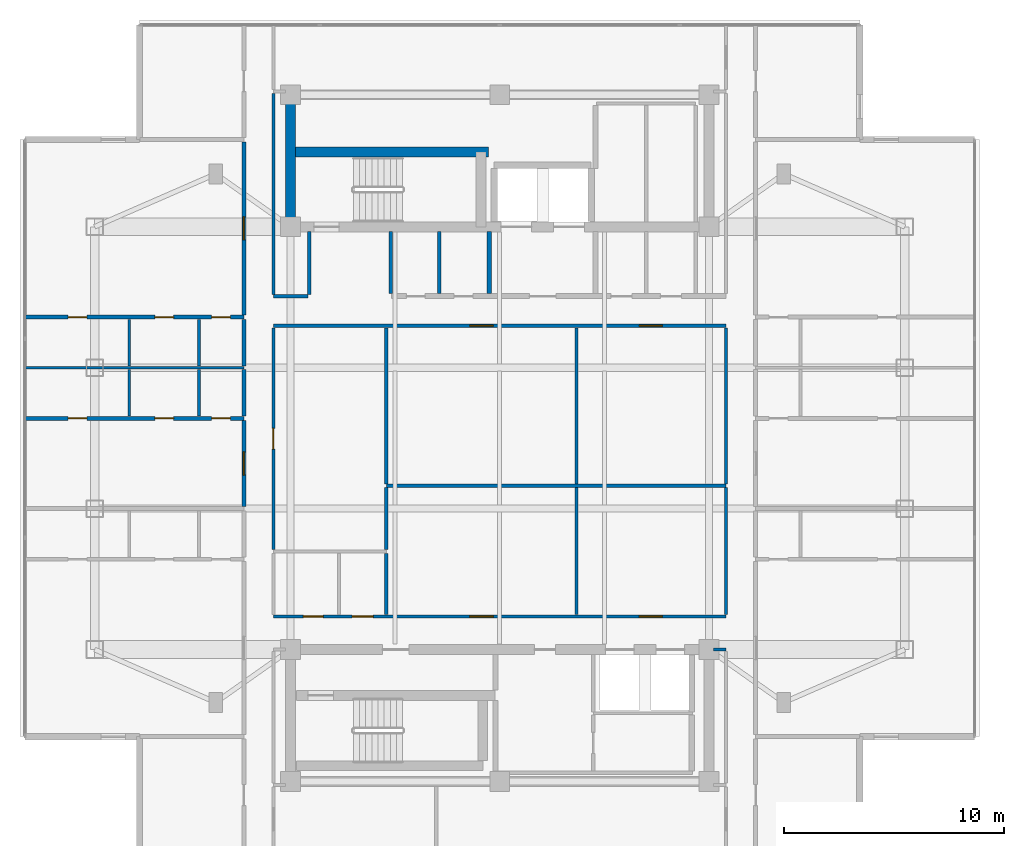
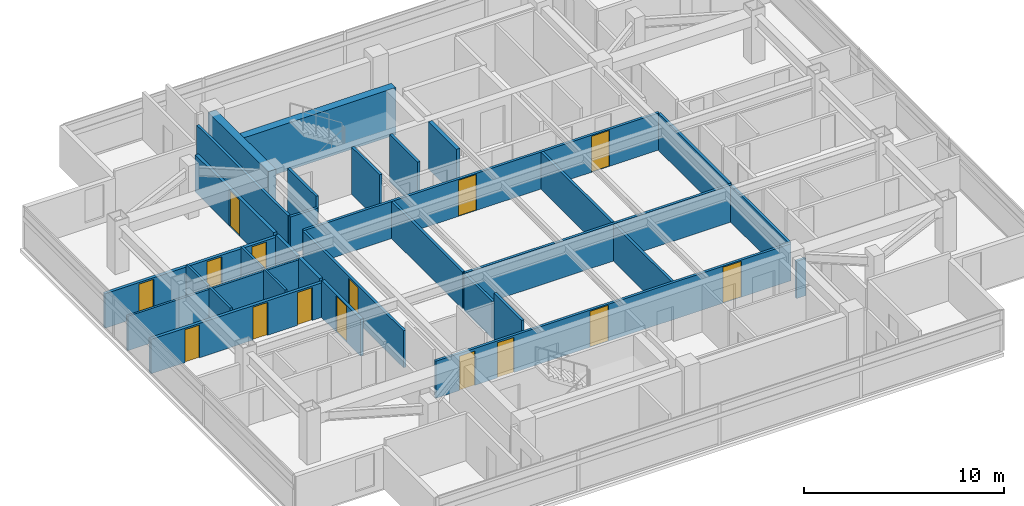
# One storey, part 11 of 17: 31 walls, 15 doors, 15 openings.
"""IFC4 building model written with IfcOpenShell, lengths in metres."""

from ifc_helpers import new_model, si_unit, direction, frame, frame_2d, origin, place, context, subcontext, project, spatial, rectangle, extrude, material, layer, layer_set, type_object, element, fill, save


model = new_model("IFC4")

# Units and contexts
model_context = context("Model", 3, precision=1e-05, world=origin(), true_north=direction((0.0, 1.0)))
body_context = subcontext(model_context, "Body", "Model", "MODEL_VIEW")
ifc_project = project(units=[si_unit("LENGTHUNIT", "METRE"), si_unit("AREAUNIT", "SQUARE_METRE"), si_unit("VOLUMEUNIT", "CUBIC_METRE"), si_unit("PLANEANGLEUNIT", "RADIAN"), si_unit("MASSUNIT", "GRAM", prefix="KILO")], contexts=[model_context])

# Site, building, storey
site_placement = place(None, origin())
site = spatial("IfcSite", under=ifc_project, at=site_placement, CompositionType="ELEMENT")
building_placement = place(site_placement, origin())
building = spatial("IfcBuilding", under=site, at=building_placement, Name="Mirazonda Arch Towers", CompositionType="ELEMENT")
storey_placement = place(building_placement, frame((0.0, 0.0, 209.64990234375)))
storey = spatial("IfcBuildingStorey", under=building, at=storey_placement, Name="L60", CompositionType="ELEMENT", Elevation=209.64990234375)

# Walls
ifc_material_1 = material(Name="Concrete C50/60", Category="concrete")
ifc_layer_1 = layer(ifc_material_1, 0.449951171875, Name="WALL-CORE-450")
ifc_layer_set_1 = layer_set([ifc_layer_1], Name="Concrete C50/60")
wall_type_1 = type_object("IfcWallType", Name="WALL-CORE-450", PredefinedType="SHEAR", material=ifc_layer_set_1)
wall_1_placement = place(storey_placement, frame((11.0, 37.60009765625, 0.0), z_axis=(0.0, 0.0, 1.0), x_axis=(0.0, 1.0, 0.0)))
element("IfcWall", 1, at=wall_1_placement, inside=storey, type_object=wall_type_1, Name="L60 T1N-W Core Shear Wall", PredefinedType="SHEAR", context=body_context, shape_type="SweptSolid", body=[
    extrude(rectangle(XDim=6.0, YDim=0.449951171875, at=frame_2d((3.0, 0.0))), origin(), (0.0, 0.0, 1.0), 2.89013671875),
])
wall_2_placement = place(storey_placement, frame((11.0, 40.992919921875, 0.0), z_axis=(0.0, 0.0, 1.0), x_axis=(1.0, 0.0, 0.0)))
element("IfcWall", 2, at=wall_2_placement, inside=storey, type_object=wall_type_1, Name="L60 T1N-STN Core Shear Wall", PredefinedType="SHEAR", context=body_context, shape_type="SweptSolid", body=[
    extrude(rectangle(XDim=9.0, YDim=0.449951171875, at=frame_2d((4.5, 0.0))), origin(), (0.0, 0.0, 1.0), 2.89013671875),
])
ifc_material_2 = material(Name="Concrete C40/50", Category="concrete")
ifc_layer_2 = layer(ifc_material_2, 0.219970703125, Name="WALL-FFL-220")
ifc_layer_set_2 = layer_set([ifc_layer_2], Name="Concrete C40/50")
wall_type_2 = type_object("IfcWallType", Name="WALL-FFL-220", PredefinedType="SOLIDWALL", material=ifc_layer_set_2)
wall_3_placement = place(storey_placement, frame((20.02490234375, 34.570068359375, 0.0), z_axis=(0.0, 0.0, 1.0), x_axis=(0.0, 1.0, 0.0)))
element("IfcWall", 3, at=wall_3_placement, inside=storey, type_object=wall_type_2, Name="L60 Interior Partition 068", PredefinedType="SOLIDWALL", context=body_context, shape_type="SweptSolid", body=[
    extrude(rectangle(XDim=2.809814453125, YDim=0.219970703125, at=frame_2d((1.40478515625, 0.0))), origin(), (0.0, 0.0, 1.0), 2.89013671875),
])
ifc_material_3 = material(Name="Fire-Rated Gypsum Stud Partition")
ifc_layer_3 = layer(ifc_material_3, 0.14990234375, Name="WALL-PART-CORR-150")
ifc_layer_set_3 = layer_set([ifc_layer_3], Name="Fire-Rated Gypsum Stud Partition")
wall_type_3 = type_object("IfcWallType", Name="WALL-PART-CORR-150", PredefinedType="PARTITIONING", material=ifc_layer_set_3)
wall_4_placement = place(storey_placement, frame((30.219970703125, 18.39990234375, 0.0), z_axis=(0.0, 0.0, 1.0), x_axis=(1.0, 0.0, 0.0)))
element("IfcWall", 4, at=wall_4_placement, inside=storey, type_object=wall_type_3, Name="L60 Interior Partition 011", PredefinedType="PARTITIONING", context=body_context, shape_type="SweptSolid", body=[
    extrude(rectangle(XDim=0.56005859375, YDim=0.14990234375, at=frame_2d((0.280029296875, 0.0))), origin(), (0.0, 0.0, 1.0), 2.281982421875),
])

# Wall, openings, doors
wall_5_placement = place(storey_placement, frame((10.219970703125, 19.89990234375, 0.0), z_axis=(0.0, 0.0, 1.0), x_axis=(1.0, 0.0, 0.0)))
wall_5 = element("IfcWall", 5, at=wall_5_placement, inside=storey, type_object=wall_type_3, Name="L60 Interior Partition 013", PredefinedType="PARTITIONING", context=body_context, shape_type="SweptSolid", body=[
    extrude(rectangle(XDim=20.56005859375, YDim=0.14990234375, at=frame_2d((10.280029296875, 0.0))), origin(), (0.0, 0.0, 1.0), 2.26611328125),
])
opening_1_placement = place(wall_5_placement, frame((1.360107421875, 0.0, 0.0)))
opening_1 = element("IfcOpeningElement", 6, at=opening_1_placement, cuts=wall_5, Name="Opening DR-120", PredefinedType="OPENING", context=body_context, shape_type="SweptSolid", body=[
    extrude(rectangle(XDim=0.89990234375, YDim=2.10009765625, at=frame_2d((0.449951171875, 1.050048828125))), frame((0.0, 0.0849609375, 0.0), z_axis=(0.0, -1.0, 0.0), x_axis=(1.0, 0.0, 0.0)), (0.0, 0.0, 1.0), 0.169921875),
])
opening_2_placement = place(wall_5_placement, frame((3.580078125, 0.0, 0.0)))
opening_2 = element("IfcOpeningElement", 7, at=opening_2_placement, cuts=wall_5, Name="Opening DR-104", PredefinedType="OPENING", context=body_context, shape_type="SweptSolid", body=[
    extrude(rectangle(XDim=0.949951171875, YDim=2.14990234375, at=frame_2d((0.47509765625, 1.074951171875))), frame((0.0, 0.0849609375, 0.0), z_axis=(0.0, -1.0, 0.0), x_axis=(1.0, 0.0, 0.0)), (0.0, 0.0, 1.0), 0.169921875),
])
opening_3_placement = place(wall_5_placement, frame((8.925537109375, 0.0, 0.0)))
opening_3 = element("IfcOpeningElement", 8, at=opening_3_placement, cuts=wall_5, Name="Opening DR-121", PredefinedType="OPENING", context=body_context, shape_type="SweptSolid", body=[
    extrude(rectangle(XDim=1.050048828125, YDim=2.199951171875, at=frame_2d((0.52490234375, 1.10009765625))), frame((0.0, 0.0849609375, 0.0), z_axis=(0.0, -1.0, 0.0), x_axis=(1.0, 0.0, 0.0)), (0.0, 0.0, 1.0), 0.169921875),
])
opening_4_placement = place(wall_5_placement, frame((16.62060546875, 0.0, 0.0)))
opening_4 = element("IfcOpeningElement", 9, at=opening_4_placement, cuts=wall_5, Name="Opening DR-121", PredefinedType="OPENING", context=body_context, shape_type="SweptSolid", body=[
    extrude(rectangle(XDim=1.050048828125, YDim=2.199951171875, at=frame_2d((0.52490234375, 1.10009765625))), frame((0.0, 0.0849609375, 0.0), z_axis=(0.0, -1.0, 0.0), x_axis=(1.0, 0.0, 0.0)), (0.0, 0.0, 1.0), 0.169921875),
])
ifc_material_4 = material(Name="Architectural Brushed Steel S355", Category="steel")
door_type_1 = type_object("IfcDoorType", Name="DOOR-ROOM-950", OperationType="NOTDEFINED", PredefinedType="DOOR", material=ifc_material_4)
door_1_placement = place(opening_2_placement, origin())
door_1 = element("IfcDoor", 10, at=door_1_placement, inside=storey, type_object=door_type_1, Name="L60 L60 West Courtyard Study Door", OperationType="SINGLE_SWING_RIGHT", OverallHeight=2.14990234375, OverallWidth=0.949951171875, PredefinedType="DOOR", context=body_context, shape_type="SweptSolid", body=[
    extrude(rectangle(XDim=0.949951171875, YDim=2.14990234375, at=frame_2d((0.47509765625, 1.074951171875))), frame((0.0, 0.02490234375, 0.0), z_axis=(0.0, -1.0, 0.0), x_axis=(1.0, 0.0, 0.0)), (0.0, 0.0, 1.0), 0.050048828125),
])
fill(opening_2, door_1)
door_type_2 = type_object("IfcDoorType", Name="DOOR-SUITE-FD60-1050", OperationType="NOTDEFINED", PredefinedType="DOOR", material=ifc_material_4)
door_2_placement = place(opening_3_placement, origin())
door_2 = element("IfcDoor", 11, at=door_2_placement, inside=storey, type_object=door_type_2, Name="L60 Residents Private Library Door", OperationType="SINGLE_SWING_RIGHT", OverallHeight=2.199951171875, OverallWidth=1.050048828125, PredefinedType="DOOR", context=body_context, shape_type="SweptSolid", body=[
    extrude(rectangle(XDim=1.050048828125, YDim=2.199951171875, at=frame_2d((0.52490234375, 1.10009765625))), frame((0.0, 0.02490234375, 0.0), z_axis=(0.0, -1.0, 0.0), x_axis=(1.0, 0.0, 0.0)), (0.0, 0.0, 1.0), 0.050048828125),
])
fill(opening_3, door_2)
door_3_placement = place(opening_4_placement, origin())
door_3 = element("IfcDoor", 12, at=door_3_placement, inside=storey, type_object=door_type_2, Name="L60 Chamber Music & Screening Salon Door", OperationType="SINGLE_SWING_LEFT", OverallHeight=2.199951171875, OverallWidth=1.050048828125, PredefinedType="DOOR", context=body_context, shape_type="SweptSolid", body=[
    extrude(rectangle(XDim=1.050048828125, YDim=2.199951171875, at=frame_2d((0.52490234375, 1.10009765625))), frame((0.0, 0.02490234375, 0.0), z_axis=(0.0, -1.0, 0.0), x_axis=(1.0, 0.0, 0.0)), (0.0, 0.0, 1.0), 0.050048828125),
])
fill(opening_4, door_3)
door_type_3 = type_object("IfcDoorType", Name="DOOR-WC-900", OperationType="NOTDEFINED", PredefinedType="DOOR", material=ifc_material_4)
door_4_placement = place(opening_1_placement, origin())
door_4 = element("IfcDoor", 13, at=door_4_placement, inside=storey, type_object=door_type_3, Name="L60 Common Accessible WC Door", OperationType="SINGLE_SWING_RIGHT", OverallHeight=2.10009765625, OverallWidth=0.89990234375, PredefinedType="DOOR", context=body_context, shape_type="SweptSolid", body=[
    extrude(rectangle(XDim=0.89990234375, YDim=2.10009765625, at=frame_2d((0.449951171875, 1.050048828125))), frame((0.0, 0.02490234375, 0.0), z_axis=(0.0, -1.0, 0.0), x_axis=(1.0, 0.0, 0.0)), (0.0, 0.0, 1.0), 0.050048828125),
])
fill(opening_1, door_4)

# Wall
wall_6_placement = place(storey_placement, frame((15.35009765625, 25.840087890625, 0.0), z_axis=(0.0, 0.0, 1.0), x_axis=(1.0, 0.0, 0.0)))
element("IfcWall", 14, at=wall_6_placement, inside=storey, type_object=wall_type_3, Name="L60 Interior Partition 020", PredefinedType="PARTITIONING", context=body_context, shape_type="SweptSolid", body=[
    extrude(rectangle(XDim=15.429931640625, YDim=0.14990234375, at=frame_2d((7.71484375, 0.0))), origin(), (0.0, 0.0, 1.0), 2.26611328125),
])

# Wall, openings, doors
wall_7_placement = place(storey_placement, frame((10.219970703125, 33.10009765625, 0.0), z_axis=(0.0, 0.0, 1.0), x_axis=(1.0, 0.0, 0.0)))
wall_7 = element("IfcWall", 15, at=wall_7_placement, inside=storey, type_object=wall_type_3, Name="L60 Interior Partition 026", PredefinedType="PARTITIONING", context=body_context, shape_type="SweptSolid", body=[
    extrude(rectangle(XDim=20.56005859375, YDim=0.14990234375, at=frame_2d((10.280029296875, 0.0))), origin(), (0.0, 0.0, 1.0), 2.26611328125),
])
opening_5_placement = place(wall_7_placement, frame((8.925537109375, 0.0, 0.0)))
opening_5 = element("IfcOpeningElement", 16, at=opening_5_placement, cuts=wall_7, Name="Opening DR-121", PredefinedType="OPENING", context=body_context, shape_type="SweptSolid", body=[
    extrude(rectangle(XDim=1.050048828125, YDim=2.199951171875, at=frame_2d((0.52490234375, 1.10009765625))), frame((0.0, 0.0849609375, 0.0), z_axis=(0.0, -1.0, 0.0), x_axis=(1.0, 0.0, 0.0)), (0.0, 0.0, 1.0), 0.169921875),
])
opening_6_placement = place(wall_7_placement, frame((16.62060546875, 0.0, 0.0)))
opening_6 = element("IfcOpeningElement", 17, at=opening_6_placement, cuts=wall_7, Name="Opening DR-121", PredefinedType="OPENING", context=body_context, shape_type="SweptSolid", body=[
    extrude(rectangle(XDim=1.050048828125, YDim=2.199951171875, at=frame_2d((0.52490234375, 1.10009765625))), frame((0.0, 0.0849609375, 0.0), z_axis=(0.0, -1.0, 0.0), x_axis=(1.0, 0.0, 0.0)), (0.0, 0.0, 1.0), 0.169921875),
])
door_5_placement = place(opening_5_placement, origin())
door_5 = element("IfcDoor", 18, at=door_5_placement, inside=storey, type_object=door_type_2, Name="L60 Private Dining Room Door", OperationType="SINGLE_SWING_RIGHT", OverallHeight=2.199951171875, OverallWidth=1.050048828125, PredefinedType="DOOR", context=body_context, shape_type="SweptSolid", body=[
    extrude(rectangle(XDim=1.050048828125, YDim=2.199951171875, at=frame_2d((0.52490234375, 1.10009765625))), frame((0.0, 0.02490234375, 0.0), z_axis=(0.0, -1.0, 0.0), x_axis=(1.0, 0.0, 0.0)), (0.0, 0.0, 1.0), 0.050048828125),
])
fill(opening_5, door_5)
door_6_placement = place(opening_6_placement, origin())
door_6 = element("IfcDoor", 19, at=door_6_placement, inside=storey, type_object=door_type_2, Name="L60 Collectors Gallery Study Door", OperationType="SINGLE_SWING_LEFT", OverallHeight=2.199951171875, OverallWidth=1.050048828125, PredefinedType="DOOR", context=body_context, shape_type="SweptSolid", body=[
    extrude(rectangle(XDim=1.050048828125, YDim=2.199951171875, at=frame_2d((0.52490234375, 1.10009765625))), frame((0.0, 0.02490234375, 0.0), z_axis=(0.0, -1.0, 0.0), x_axis=(1.0, 0.0, 0.0)), (0.0, 0.0, 1.0), 0.050048828125),
])
fill(opening_6, door_6)

# Wall
wall_8_placement = place(storey_placement, frame((10.219970703125, 34.449951171875, 0.0), z_axis=(0.0, 0.0, 1.0), x_axis=(1.0, 0.0, 0.0)))
element("IfcWall", 20, at=wall_8_placement, inside=storey, type_object=wall_type_3, Name="L60 Interior Partition 029", PredefinedType="PARTITIONING", context=body_context, shape_type="SweptSolid", body=[
    extrude(rectangle(XDim=1.580078125, YDim=0.14990234375, at=frame_2d((0.7900390625, 0.0))), origin(), (0.0, 0.0, 1.0), 2.26611328125),
])

# Wall, opening, door
wall_9_placement = place(storey_placement, frame((10.219970703125, 22.93505859375, 0.0), z_axis=(0.0, 0.0, 1.0), x_axis=(0.0, 1.0, 0.0)))
wall_9 = element("IfcWall", 21, at=wall_9_placement, inside=storey, type_object=wall_type_3, Name="L60 Interior Partition 056", PredefinedType="PARTITIONING", context=body_context, shape_type="SweptSolid", body=[
    extrude(rectangle(XDim=10.079833984375, YDim=0.14990234375, at=frame_2d((5.0400390625, 0.0))), origin(), (0.0, 0.0, 1.0), 2.26611328125),
])
opening_7_placement = place(wall_9_placement, frame((4.56494140625, 0.0, 0.0)))
opening_7 = element("IfcOpeningElement", 22, at=opening_7_placement, cuts=wall_9, Name="Opening DR-104", PredefinedType="OPENING", context=body_context, shape_type="SweptSolid", body=[
    extrude(rectangle(XDim=0.949951171875, YDim=2.14990234375, at=frame_2d((0.47509765625, 1.074951171875))), frame((0.0, 0.0849609375, 0.0), z_axis=(0.0, -1.0, 0.0), x_axis=(1.0, 0.0, 0.0)), (0.0, 0.0, 1.0), 0.169921875),
])
door_7_placement = place(opening_7_placement, origin())
door_7 = element("IfcDoor", 23, at=door_7_placement, inside=storey, type_object=door_type_1, Name="L60 L60 West Courtyard Salon Door", OperationType="SINGLE_SWING_LEFT", OverallHeight=2.14990234375, OverallWidth=0.949951171875, PredefinedType="DOOR", context=body_context, shape_type="SweptSolid", body=[
    extrude(rectangle(XDim=0.949951171875, YDim=2.14990234375, at=frame_2d((0.47509765625, 1.074951171875))), frame((0.0, 0.02490234375, 0.0), z_axis=(0.0, -1.0, 0.0), x_axis=(1.0, 0.0, 0.0)), (0.0, 0.0, 1.0), 0.050048828125),
])
fill(opening_7, door_7)

# Walls
wall_10_placement = place(storey_placement, frame((10.219970703125, 34.534912109375, 0.0), z_axis=(0.0, 0.0, 1.0), x_axis=(0.0, 1.0, 0.0)))
element("IfcWall", 24, at=wall_10_placement, inside=storey, type_object=wall_type_3, Name="L60 Interior Partition 057", PredefinedType="PARTITIONING", context=body_context, shape_type="SweptSolid", body=[
    extrude(rectangle(XDim=9.130126953125, YDim=0.14990234375, at=frame_2d((4.56494140625, 0.0))), origin(), (0.0, 0.0, 1.0), 2.281982421875),
])
wall_11_placement = place(storey_placement, frame((11.85009765625, 34.534912109375, 0.0), z_axis=(0.0, 0.0, 1.0), x_axis=(0.0, 1.0, 0.0)))
element("IfcWall", 25, at=wall_11_placement, inside=storey, type_object=wall_type_3, Name="L60 Interior Partition 059", PredefinedType="PARTITIONING", context=body_context, shape_type="SweptSolid", body=[
    extrude(rectangle(XDim=2.844970703125, YDim=0.14990234375, at=frame_2d((1.42236328125, 0.0))), origin(), (0.0, 0.0, 1.0), 2.89013671875),
])
wall_12_placement = place(storey_placement, frame((15.35009765625, 19.985107421875, 0.0), z_axis=(0.0, 0.0, 1.0), x_axis=(0.0, 1.0, 0.0)))
element("IfcWall", 26, at=wall_12_placement, inside=storey, type_object=wall_type_3, Name="L60 Interior Partition 061", PredefinedType="PARTITIONING", context=body_context, shape_type="SweptSolid", body=[
    extrude(rectangle(XDim=2.77978515625, YDim=0.14990234375, at=frame_2d((1.389892578125, 0.0))), origin(), (0.0, 0.0, 1.0), 2.89013671875),
])
wall_13_placement = place(storey_placement, frame((15.35009765625, 22.93505859375, 0.0), z_axis=(0.0, 0.0, 1.0), x_axis=(0.0, 1.0, 0.0)))
element("IfcWall", 27, at=wall_13_placement, inside=storey, type_object=wall_type_3, Name="L60 Interior Partition 062", PredefinedType="PARTITIONING", context=body_context, shape_type="SweptSolid", body=[
    extrude(rectangle(XDim=2.81982421875, YDim=0.14990234375, at=frame_2d((1.409912109375, 0.0))), origin(), (0.0, 0.0, 1.0), 2.26611328125),
])
wall_14_placement = place(storey_placement, frame((15.35009765625, 25.925048828125, 0.0), z_axis=(0.0, 0.0, 1.0), x_axis=(0.0, 1.0, 0.0)))
element("IfcWall", 28, at=wall_14_placement, inside=storey, type_object=wall_type_3, Name="L60 Interior Partition 063", PredefinedType="PARTITIONING", context=body_context, shape_type="SweptSolid", body=[
    extrude(rectangle(XDim=7.08984375, YDim=0.14990234375, at=frame_2d((3.544921875, 0.0))), origin(), (0.0, 0.0, 1.0), 2.26611328125),
])
for number, where, z_axis, x_axis, name in (
    (29, (15.550048828125, 34.570068359375, 0.0), (0.0, 0.0, 1.0), (0.0, 1.0, 0.0), "L60 Interior Partition 064"),
    (30, (17.75, 34.570068359375, 0.0), (0.0, 0.0, 1.0), (0.0, 1.0, 0.0), "L60 Interior Partition 066"),
):
    element("IfcWall", number, at=place(storey_placement, frame(where, z_axis=z_axis, x_axis=x_axis)), inside=storey, type_object=wall_type_3, Name=name, PredefinedType="PARTITIONING", context=body_context, shape_type="SweptSolid", body=[
        extrude(rectangle(XDim=2.809814453125, YDim=0.14990234375, at=frame_2d((1.40478515625, 0.0))), origin(), (0.0, 0.0, 1.0), 2.89013671875),
    ])
wall_15_placement = place(storey_placement, frame((23.990966796875, 19.985107421875, 0.0), z_axis=(0.0, 0.0, 1.0), x_axis=(0.0, 1.0, 0.0)))
element("IfcWall", 31, at=wall_15_placement, inside=storey, type_object=wall_type_3, Name="L60 Interior Partition 072", PredefinedType="PARTITIONING", context=body_context, shape_type="SweptSolid", body=[
    extrude(rectangle(XDim=5.769775390625, YDim=0.14990234375, at=frame_2d((2.884765625, 0.0))), origin(), (0.0, 0.0, 1.0), 2.26611328125),
])
wall_16_placement = place(storey_placement, frame((23.990966796875, 25.925048828125, 0.0), z_axis=(0.0, 0.0, 1.0), x_axis=(0.0, 1.0, 0.0)))
element("IfcWall", 32, at=wall_16_placement, inside=storey, type_object=wall_type_3, Name="L60 Interior Partition 073", PredefinedType="PARTITIONING", context=body_context, shape_type="SweptSolid", body=[
    extrude(rectangle(XDim=7.08984375, YDim=0.14990234375, at=frame_2d((3.544921875, 0.0))), origin(), (0.0, 0.0, 1.0), 2.26611328125),
])
wall_17_placement = place(storey_placement, frame((30.780029296875, 19.985107421875, 0.0), z_axis=(0.0, 0.0, 1.0), x_axis=(0.0, 1.0, 0.0)))
element("IfcWall", 33, at=wall_17_placement, inside=storey, type_object=wall_type_3, Name="L60 Interior Partition 087", PredefinedType="PARTITIONING", context=body_context, shape_type="SweptSolid", body=[
    extrude(rectangle(XDim=5.769775390625, YDim=0.14990234375, at=frame_2d((2.884765625, 0.0))), origin(), (0.0, 0.0, 1.0), 2.26611328125),
])
wall_18_placement = place(storey_placement, frame((30.780029296875, 25.925048828125, 0.0), z_axis=(0.0, 0.0, 1.0), x_axis=(0.0, 1.0, 0.0)))
element("IfcWall", 34, at=wall_18_placement, inside=storey, type_object=wall_type_3, Name="L60 Interior Partition 088", PredefinedType="PARTITIONING", context=body_context, shape_type="SweptSolid", body=[
    extrude(rectangle(XDim=7.08984375, YDim=0.14990234375, at=frame_2d((3.544921875, 0.0))), origin(), (0.0, 0.0, 1.0), 2.26611328125),
])

# Wall, openings, doors
ifc_material_5 = material(Name="Fire-Rated Gypsum Twin-Stud Assembly")
ifc_layer_4 = layer(ifc_material_5, 0.179931640625, Name="WALL-PART-DEMISE-180")
ifc_layer_set_4 = layer_set([ifc_layer_4], Name="Fire-Rated Gypsum Twin-Stud Assembly")
wall_type_4 = type_object("IfcWallType", Name="WALL-PART-DEMISE-180", PredefinedType="PARTITIONING", material=ifc_layer_set_4)
wall_19_placement = place(storey_placement, frame((-1.070068359375, 28.89990234375, 0.0), z_axis=(0.0, 0.0, 1.0), x_axis=(1.0, 0.0, 0.0)))
wall_19 = element("IfcWall", 35, at=wall_19_placement, inside=storey, type_object=wall_type_4, Name="L60 Interior Partition 021", PredefinedType="PARTITIONING", context=body_context, shape_type="SweptSolid", body=[
    extrude(rectangle(XDim=9.949951171875, YDim=0.179931640625, at=frame_2d((4.97509765625, 0.0))), origin(), (0.0, 0.0, 1.0), 2.109130859375),
])
opening_8_placement = place(wall_19_placement, frame((1.968017578125, 0.0, 0.0)))
opening_8 = element("IfcOpeningElement", 36, at=opening_8_placement, cuts=wall_19, Name="Opening DR-128", PredefinedType="OPENING", context=body_context, shape_type="SweptSolid", body=[
    extrude(rectangle(XDim=0.85009765625, YDim=2.010009765625, at=frame_2d((0.425048828125, 1.0048828125))), frame((0.0, 0.099853515625, 0.0), z_axis=(0.0, -1.0, 0.0), x_axis=(1.0, 0.0, 0.0)), (0.0, 0.0, 1.0), 0.199951171875),
])
opening_9_placement = place(wall_19_placement, frame((5.903076171875, 0.0, 0.0)))
opening_9 = element("IfcOpeningElement", 37, at=opening_9_placement, cuts=wall_19, Name="Opening DR-128", PredefinedType="OPENING", context=body_context, shape_type="SweptSolid", body=[
    extrude(rectangle(XDim=0.85009765625, YDim=2.010009765625, at=frame_2d((0.425048828125, 1.0048828125))), frame((0.0, 0.099853515625, 0.0), z_axis=(0.0, -1.0, 0.0), x_axis=(1.0, 0.0, 0.0)), (0.0, 0.0, 1.0), 0.199951171875),
])
opening_10_placement = place(wall_19_placement, frame((8.485107421875, 0.0, 0.0)))
opening_10 = element("IfcOpeningElement", 38, at=opening_10_placement, cuts=wall_19, Name="Opening DR-128", PredefinedType="OPENING", context=body_context, shape_type="SweptSolid", body=[
    extrude(rectangle(XDim=0.85009765625, YDim=2.010009765625, at=frame_2d((0.425048828125, 1.0048828125))), frame((0.0, 0.099853515625, 0.0), z_axis=(0.0, -1.0, 0.0), x_axis=(1.0, 0.0, 0.0)), (0.0, 0.0, 1.0), 0.199951171875),
])
door_type_4 = type_object("IfcDoorType", Name="DOOR-RISER-FD60-850", OperationType="NOTDEFINED", PredefinedType="DOOR", material=ifc_material_4)
door_8_placement = place(opening_8_placement, origin())
door_8 = element("IfcDoor", 39, at=door_8_placement, inside=storey, type_object=door_type_4, Name="L60 Residence 2 Principal Bedroom Door", OperationType="SINGLE_SWING_RIGHT", OverallHeight=2.010009765625, OverallWidth=0.85009765625, PredefinedType="DOOR", context=body_context, shape_type="SweptSolid", body=[
    extrude(rectangle(XDim=0.85009765625, YDim=2.010009765625, at=frame_2d((0.425048828125, 1.0048828125))), frame((0.0, 0.02490234375, 0.0), z_axis=(0.0, -1.0, 0.0), x_axis=(1.0, 0.0, 0.0)), (0.0, 0.0, 1.0), 0.050048828125),
])
fill(opening_8, door_8)
door_9_placement = place(opening_9_placement, origin())
door_9 = element("IfcDoor", 40, at=door_9_placement, inside=storey, type_object=door_type_4, Name="L60 Residence 2 Fitted Kitchen Door", OperationType="SINGLE_SWING_LEFT", OverallHeight=2.010009765625, OverallWidth=0.85009765625, PredefinedType="DOOR", context=body_context, shape_type="SweptSolid", body=[
    extrude(rectangle(XDim=0.85009765625, YDim=2.010009765625, at=frame_2d((0.425048828125, 1.0048828125))), frame((0.0, 0.02490234375, 0.0), z_axis=(0.0, -1.0, 0.0), x_axis=(1.0, 0.0, 0.0)), (0.0, 0.0, 1.0), 0.050048828125),
])
fill(opening_9, door_9)
door_10_placement = place(opening_10_placement, origin())
door_10 = element("IfcDoor", 41, at=door_10_placement, inside=storey, type_object=door_type_4, Name="L60 Residence 2 Bathroom Door", OperationType="SINGLE_SWING_RIGHT", OverallHeight=2.010009765625, OverallWidth=0.85009765625, PredefinedType="DOOR", context=body_context, shape_type="SweptSolid", body=[
    extrude(rectangle(XDim=0.85009765625, YDim=2.010009765625, at=frame_2d((0.425048828125, 1.0048828125))), frame((0.0, 0.02490234375, 0.0), z_axis=(0.0, -1.0, 0.0), x_axis=(1.0, 0.0, 0.0)), (0.0, 0.0, 1.0), 0.050048828125),
])
fill(opening_10, door_10)

wall_20_placement = place(storey_placement, frame((-1.070068359375, 33.5, 0.0), z_axis=(0.0, 0.0, 1.0), x_axis=(1.0, 0.0, 0.0)))
wall_20 = element("IfcWall", 42, at=wall_20_placement, inside=storey, type_object=wall_type_4, Name="L60 Interior Partition 027", PredefinedType="PARTITIONING", context=body_context, shape_type="SweptSolid", body=[
    extrude(rectangle(XDim=9.949951171875, YDim=0.179931640625, at=frame_2d((4.97509765625, 0.0))), origin(), (0.0, 0.0, 1.0), 2.109130859375),
])
opening_11_placement = place(wall_20_placement, frame((1.968017578125, 0.0, 0.0)))
opening_11 = element("IfcOpeningElement", 43, at=opening_11_placement, cuts=wall_20, Name="Opening DR-128", PredefinedType="OPENING", context=body_context, shape_type="SweptSolid", body=[
    extrude(rectangle(XDim=0.85009765625, YDim=2.010009765625, at=frame_2d((0.425048828125, 1.0048828125))), frame((0.0, 0.099853515625, 0.0), z_axis=(0.0, -1.0, 0.0), x_axis=(1.0, 0.0, 0.0)), (0.0, 0.0, 1.0), 0.199951171875),
])
opening_12_placement = place(wall_20_placement, frame((5.903076171875, 0.0, 0.0)))
opening_12 = element("IfcOpeningElement", 44, at=opening_12_placement, cuts=wall_20, Name="Opening DR-128", PredefinedType="OPENING", context=body_context, shape_type="SweptSolid", body=[
    extrude(rectangle(XDim=0.85009765625, YDim=2.010009765625, at=frame_2d((0.425048828125, 1.0048828125))), frame((0.0, 0.099853515625, 0.0), z_axis=(0.0, -1.0, 0.0), x_axis=(1.0, 0.0, 0.0)), (0.0, 0.0, 1.0), 0.199951171875),
])
opening_13_placement = place(wall_20_placement, frame((8.485107421875, 0.0, 0.0)))
opening_13 = element("IfcOpeningElement", 45, at=opening_13_placement, cuts=wall_20, Name="Opening DR-128", PredefinedType="OPENING", context=body_context, shape_type="SweptSolid", body=[
    extrude(rectangle(XDim=0.85009765625, YDim=2.010009765625, at=frame_2d((0.425048828125, 1.0048828125))), frame((0.0, 0.099853515625, 0.0), z_axis=(0.0, -1.0, 0.0), x_axis=(1.0, 0.0, 0.0)), (0.0, 0.0, 1.0), 0.199951171875),
])
door_11_placement = place(opening_11_placement, origin())
door_11 = element("IfcDoor", 46, at=door_11_placement, inside=storey, type_object=door_type_4, Name="L60 Residence 3 Principal Bedroom Door", OperationType="SINGLE_SWING_RIGHT", OverallHeight=2.010009765625, OverallWidth=0.85009765625, PredefinedType="DOOR", context=body_context, shape_type="SweptSolid", body=[
    extrude(rectangle(XDim=0.85009765625, YDim=2.010009765625, at=frame_2d((0.425048828125, 1.0048828125))), frame((0.0, 0.02490234375, 0.0), z_axis=(0.0, -1.0, 0.0), x_axis=(1.0, 0.0, 0.0)), (0.0, 0.0, 1.0), 0.050048828125),
])
fill(opening_11, door_11)
door_12_placement = place(opening_12_placement, origin())
door_12 = element("IfcDoor", 47, at=door_12_placement, inside=storey, type_object=door_type_4, Name="L60 Residence 3 Fitted Kitchen Door", OperationType="SINGLE_SWING_LEFT", OverallHeight=2.010009765625, OverallWidth=0.85009765625, PredefinedType="DOOR", context=body_context, shape_type="SweptSolid", body=[
    extrude(rectangle(XDim=0.85009765625, YDim=2.010009765625, at=frame_2d((0.425048828125, 1.0048828125))), frame((0.0, 0.02490234375, 0.0), z_axis=(0.0, -1.0, 0.0), x_axis=(1.0, 0.0, 0.0)), (0.0, 0.0, 1.0), 0.050048828125),
])
fill(opening_12, door_12)
door_13_placement = place(opening_13_placement, origin())
door_13 = element("IfcDoor", 48, at=door_13_placement, inside=storey, type_object=door_type_4, Name="L60 Residence 3 Bathroom Door", OperationType="SINGLE_SWING_RIGHT", OverallHeight=2.010009765625, OverallWidth=0.85009765625, PredefinedType="DOOR", context=body_context, shape_type="SweptSolid", body=[
    extrude(rectangle(XDim=0.85009765625, YDim=2.010009765625, at=frame_2d((0.425048828125, 1.0048828125))), frame((0.0, 0.02490234375, 0.0), z_axis=(0.0, -1.0, 0.0), x_axis=(1.0, 0.0, 0.0)), (0.0, 0.0, 1.0), 0.050048828125),
])
fill(opening_13, door_13)

# Wall, opening, door
wall_21_placement = place(storey_placement, frame((8.8798828125, 24.89990234375, 0.0), z_axis=(0.0, 0.0, 1.0), x_axis=(0.0, 1.0, 0.0)))
wall_21 = element("IfcWall", 49, at=wall_21_placement, inside=storey, type_object=wall_type_4, Name="L60 Interior Partition 048", PredefinedType="PARTITIONING", context=body_context, shape_type="SweptSolid", body=[
    extrude(rectangle(XDim=3.900146484375, YDim=0.179931640625, at=frame_2d((1.9501953125, 0.0))), origin(), (0.0, 0.0, 1.0), 2.26611328125),
])
opening_14_placement = place(wall_21_placement, frame((1.425048828125, 0.0, 0.0)))
opening_14 = element("IfcOpeningElement", 50, at=opening_14_placement, cuts=wall_21, Name="Opening DR-121", PredefinedType="OPENING", context=body_context, shape_type="SweptSolid", body=[
    extrude(rectangle(XDim=1.050048828125, YDim=2.199951171875, at=frame_2d((0.52490234375, 1.10009765625))), frame((0.0, 0.099853515625, 0.0), z_axis=(0.0, -1.0, 0.0), x_axis=(1.0, 0.0, 0.0)), (0.0, 0.0, 1.0), 0.199951171875),
])
door_14_placement = place(opening_14_placement, origin())
door_14 = element("IfcDoor", 51, at=door_14_placement, inside=storey, type_object=door_type_2, Name="L60 Residence 2 Living & Dining Salon Door", OperationType="SINGLE_SWING_LEFT", OverallHeight=2.199951171875, OverallWidth=1.050048828125, PredefinedType="DOOR", context=body_context, shape_type="SweptSolid", body=[
    extrude(rectangle(XDim=1.050048828125, YDim=2.199951171875, at=frame_2d((0.52490234375, 1.10009765625))), frame((0.0, 0.02490234375, 0.0), z_axis=(0.0, -1.0, 0.0), x_axis=(1.0, 0.0, 0.0)), (0.0, 0.0, 1.0), 0.050048828125),
])
fill(opening_14, door_14)

# Walls
for number, where, z_axis, x_axis, name in (
    (52, (8.8798828125, 29.0, 0.0), (0.0, 0.0, 1.0), (0.0, 1.0, 0.0), "L60 Interior Partition 049"),
    (53, (8.8798828125, 31.2724609375, 0.0), (0.0, 0.0, 1.0), (0.0, 1.0, 0.0), "L60 Interior Partition 050"),
):
    element("IfcWall", number, at=place(storey_placement, frame(where, z_axis=z_axis, x_axis=x_axis)), inside=storey, type_object=wall_type_4, Name=name, PredefinedType="PARTITIONING", context=body_context, shape_type="SweptSolid", body=[
        extrude(rectangle(XDim=2.12744140625, YDim=0.179931640625, at=frame_2d((1.063720703125, 0.0))), origin(), (0.0, 0.0, 1.0), 2.26611328125),
    ])

# Wall, opening, door
wall_22_placement = place(storey_placement, frame((8.8798828125, 33.60009765625, 0.0), z_axis=(0.0, 0.0, 1.0), x_axis=(0.0, 1.0, 0.0)))
wall_22 = element("IfcWall", 54, at=wall_22_placement, inside=storey, type_object=wall_type_4, Name="L60 Interior Partition 051", PredefinedType="PARTITIONING", context=body_context, shape_type="SweptSolid", body=[
    extrude(rectangle(XDim=7.85888671875, YDim=0.179931640625, at=frame_2d((3.929443359375, 0.0))), origin(), (0.0, 0.0, 1.0), 2.281982421875),
])
opening_15_placement = place(wall_22_placement, frame((3.404541015625, 0.0, 0.0)))
opening_15 = element("IfcOpeningElement", 55, at=opening_15_placement, cuts=wall_22, Name="Opening DR-121", PredefinedType="OPENING", context=body_context, shape_type="SweptSolid", body=[
    extrude(rectangle(XDim=1.050048828125, YDim=2.199951171875, at=frame_2d((0.52490234375, 1.10009765625))), frame((0.0, 0.099853515625, 0.0), z_axis=(0.0, -1.0, 0.0), x_axis=(1.0, 0.0, 0.0)), (0.0, 0.0, 1.0), 0.199951171875),
])
door_15_placement = place(opening_15_placement, origin())
door_15 = element("IfcDoor", 56, at=door_15_placement, inside=storey, type_object=door_type_2, Name="L60 Residence 3 Living & Dining Salon Door", OperationType="SINGLE_SWING_LEFT", OverallHeight=2.199951171875, OverallWidth=1.050048828125, PredefinedType="DOOR", context=body_context, shape_type="SweptSolid", body=[
    extrude(rectangle(XDim=1.050048828125, YDim=2.199951171875, at=frame_2d((0.52490234375, 1.10009765625))), frame((0.0, 0.02490234375, 0.0), z_axis=(0.0, -1.0, 0.0), x_axis=(1.0, 0.0, 0.0)), (0.0, 0.0, 1.0), 0.050048828125),
])
fill(opening_15, door_15)

# Walls
ifc_material_6 = material(Name="Acoustic Fire-Rated Gypsum Partition")
ifc_layer_5 = layer(ifc_material_6, 0.125, Name="WALL-PART-UNIT-125")
ifc_layer_set_5 = layer_set([ifc_layer_5], Name="Acoustic Fire-Rated Gypsum Partition")
wall_type_5 = type_object("IfcWallType", Name="WALL-PART-UNIT-125", PredefinedType="PARTITIONING", material=ifc_layer_set_5)
wall_23_placement = place(storey_placement, frame((-1.070068359375, 31.199951171875, 0.0), z_axis=(0.0, 0.0, 1.0), x_axis=(1.0, 0.0, 0.0)))
element("IfcWall", 57, at=wall_23_placement, inside=storey, type_object=wall_type_5, Name="L60 Interior Partition 023", PredefinedType="PARTITIONING", context=body_context, shape_type="SweptSolid", body=[
    extrude(rectangle(XDim=9.949951171875, YDim=0.125, at=frame_2d((4.97509765625, 0.0))), origin(), (0.0, 0.0, 1.0), 2.109130859375),
])
for number, where, z_axis, x_axis, name in (
    (58, (3.676025390625, 29.0, 0.0), (0.0, 0.0, 1.0), (0.0, 1.0, 0.0), "L60 Interior Partition 040"),
    (59, (3.676025390625, 31.2724609375, 0.0), (0.0, 0.0, 1.0), (0.0, 1.0, 0.0), "L60 Interior Partition 041"),
    (60, (6.840087890625, 29.0, 0.0), (0.0, 0.0, 1.0), (0.0, 1.0, 0.0), "L60 Interior Partition 043"),
    (61, (6.840087890625, 31.2724609375, 0.0), (0.0, 0.0, 1.0), (0.0, 1.0, 0.0), "L60 Interior Partition 044"),
):
    element("IfcWall", number, at=place(storey_placement, frame(where, z_axis=z_axis, x_axis=x_axis)), inside=storey, type_object=wall_type_5, Name=name, PredefinedType="PARTITIONING", context=body_context, shape_type="SweptSolid", body=[
        extrude(rectangle(XDim=2.12744140625, YDim=0.125, at=frame_2d((1.063720703125, 0.0))), origin(), (0.0, 0.0, 1.0), 2.26611328125),
    ])

save(model, "model.ifc")
